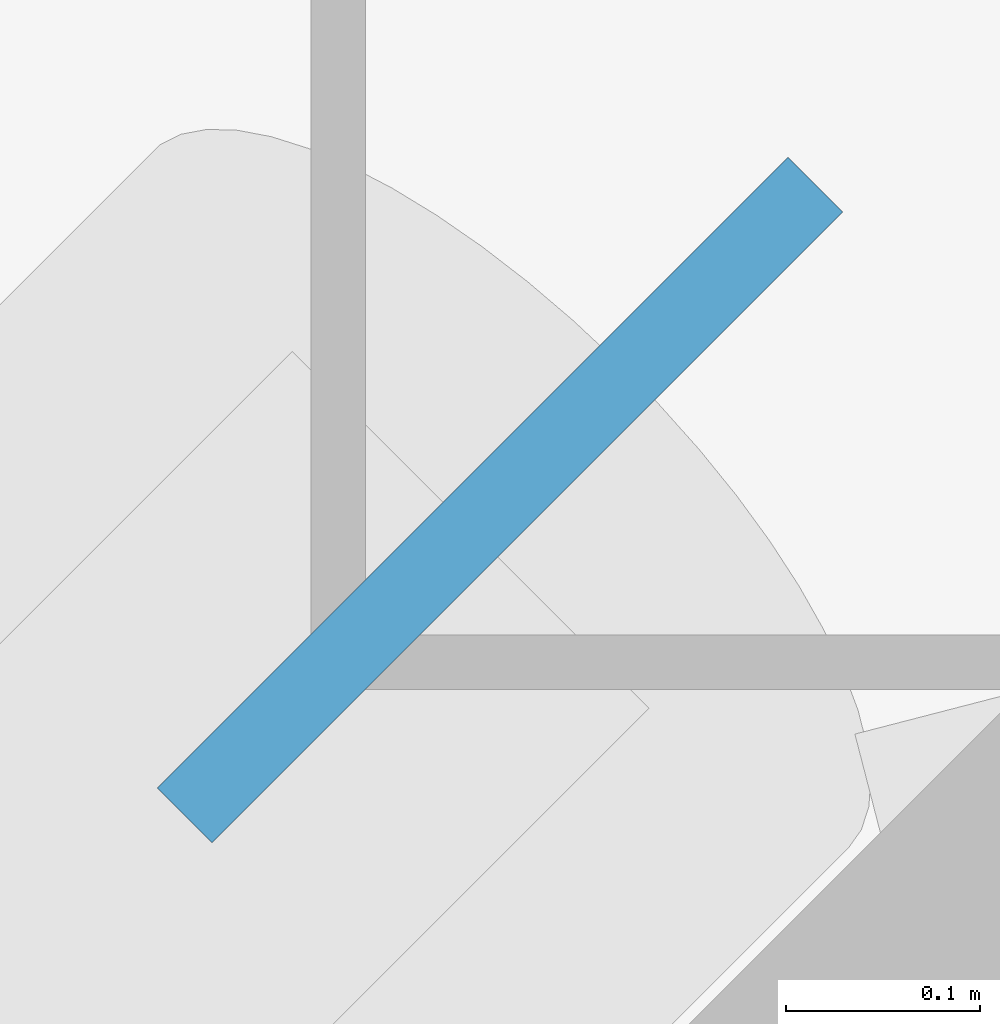
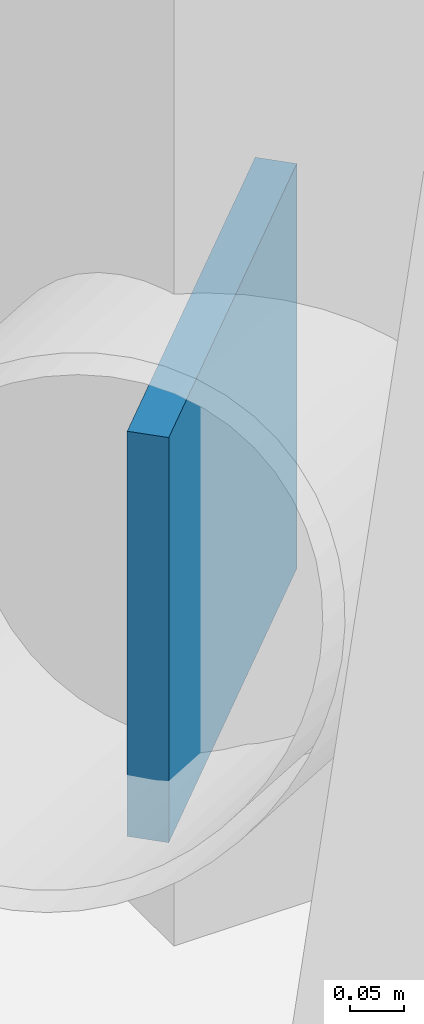
# One storey, part 16 of 18: 1 discrete accessory.
"""IFC4 building model written with IfcOpenShell, lengths in metres."""

from ifc_helpers import new_model, si_unit, direction, frame, origin, origin_2d, place, context, subcontext, project, spatial, rectangle, extrude, material, type_object, element, save


model = new_model("IFC4")

# Units and contexts
model_context = context("Model", 3, precision=1e-05, world=origin(), true_north=direction((0.0, 1.0)))
body_context = subcontext(model_context, "Body", "Model", "MODEL_VIEW")
ifc_project = project(units=[si_unit("LENGTHUNIT", "METRE"), si_unit("AREAUNIT", "SQUARE_METRE"), si_unit("VOLUMEUNIT", "CUBIC_METRE"), si_unit("PLANEANGLEUNIT", "RADIAN"), si_unit("MASSUNIT", "GRAM", prefix="KILO")], contexts=[model_context])

# Site, building, storey
site_placement = place(None, origin())
site = spatial("IfcSite", under=ifc_project, at=site_placement, CompositionType="ELEMENT")
building_placement = place(site_placement, origin())
building = spatial("IfcBuilding", under=site, at=building_placement, Name="Tavrogorsk Clinical Tower", CompositionType="ELEMENT")
storey_placement = place(building_placement, frame((0.0, 0.0, 200.199951171875)))
storey = spatial("IfcBuildingStorey", under=building, at=storey_placement, Name="L46", CompositionType="ELEMENT", Elevation=200.199951171875)

# Discrete accessory
ifc_material = material(Name="Structural steel S440", Category="steel")
discrete_accessory_type = type_object("IfcDiscreteAccessoryType", Name="GussetPlateBracket_25", PredefinedType="BRACKET", material=ifc_material)
discrete_accessory_placement = place(storey_placement, frame((-28.12255859375, 26.217529296875, 0.18310546875), z_axis=(0.0, 0.0, 1.0), x_axis=(-0.707106781187, -0.707106781187, 0.0)))
element("IfcDiscreteAccessory", 1, at=discrete_accessory_placement, inside=storey, type_object=discrete_accessory_type, Name="L46 Brace Gusset Plate EXOCRN-L46-3-A", PredefinedType="BRACKET", context=body_context, shape_type="SweptSolid", body=[
    extrude(rectangle(XDim=0.4599609375, YDim=0.0400390625, at=origin_2d()), origin(), (0.0, 0.0, 1.0), 0.4599609375),
])

save(model, "model.ifc")
